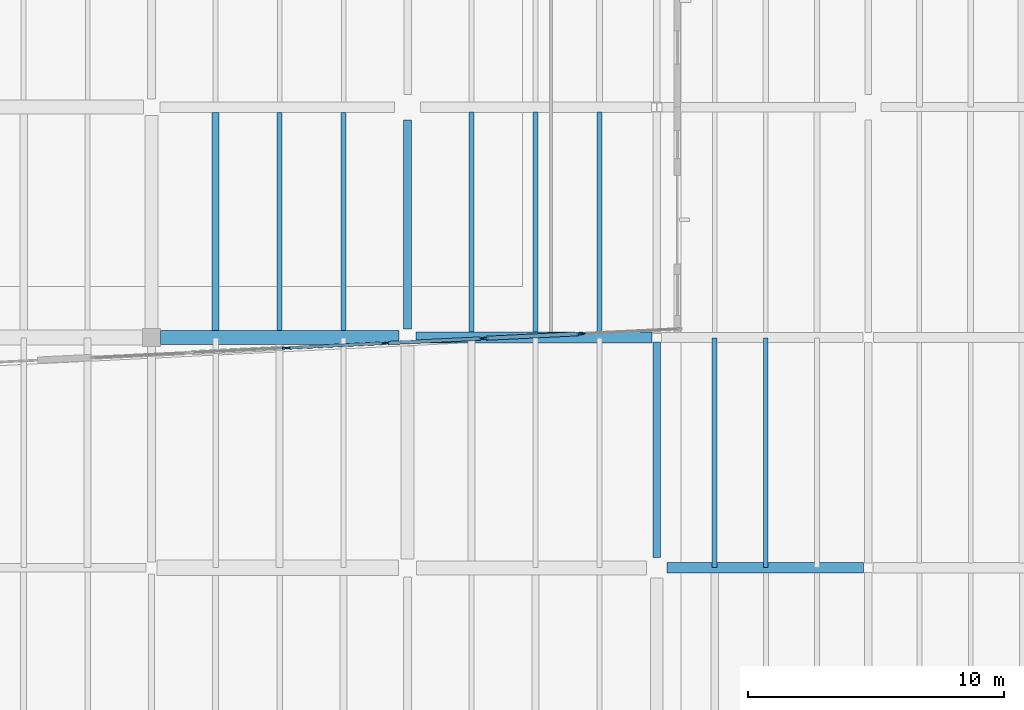
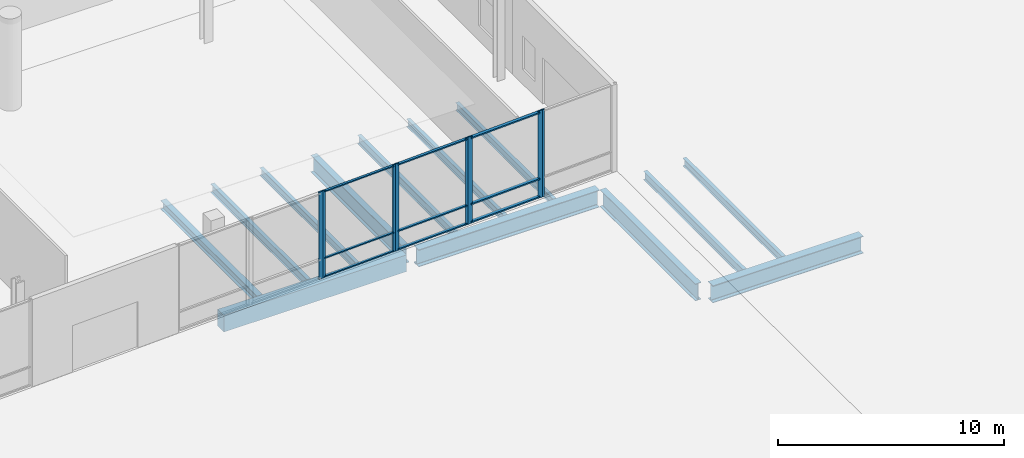
# One storey, part 30 of 88: 17 members, 13 beams, 5 elements without a shape of their own.
"""IFC4 building model written with IfcOpenShell, lengths in metres."""

from ifc_helpers import new_model, si_unit, direction, frame, origin, origin_2d, place, context, subcontext, project, spatial, rectangle, i_section, extrude, material, material_profile, profile_set, type_object, element, aggregate, save


model = new_model("IFC4")

# Units and contexts
model_context = context("Model", 3, precision=1e-05, world=origin(), true_north=direction((0.0, 1.0)))
body_context = subcontext(model_context, "Body", "Model", "MODEL_VIEW")
ifc_project = project(units=[si_unit("LENGTHUNIT", "METRE"), si_unit("AREAUNIT", "SQUARE_METRE"), si_unit("VOLUMEUNIT", "CUBIC_METRE"), si_unit("PLANEANGLEUNIT", "RADIAN"), si_unit("MASSUNIT", "GRAM", prefix="KILO")], contexts=[model_context])

# Site, building, storey
site_placement = place(None, origin())
site = spatial("IfcSite", under=ifc_project, at=site_placement, CompositionType="ELEMENT")
building_placement = place(site_placement, origin())
building = spatial("IfcBuilding", under=site, at=building_placement, Name="Trimount Lyric Opera House", CompositionType="ELEMENT")
storey_placement = place(building_placement, origin())
storey = spatial("IfcBuildingStorey", under=building, at=storey_placement, Name="L00", CompositionType="ELEMENT", Elevation=0.0)

# Beams
ifc_material_1 = material(Name="Steel ASTM A992 Grade 50", Category="steel")
ifc_material_profile_1 = material_profile(ifc_material_1, i_section(OverallWidth=0.4189453125, OverallDepth=0.927001953125, WebThickness=0.019287109375, FlangeThickness=0.031982421875, FilletRadius=0.02392578125, at=origin_2d()), Name="W36X231")
ifc_profile_set_1 = profile_set([ifc_material_profile_1], Name="Steel ASTM A992 Grade 50")
beam_type_1 = type_object("IfcBeamType", Name="B-02", PredefinedType="BEAM", material=ifc_profile_set_1)
beam_1_placement = place(storey_placement, frame((114.139892578125, 17.0, -0.763427734375), z_axis=(1.0, 0.0, 0.0), x_axis=(0.0, 1.0, 0.0)))
element("IfcBeam", 1, at=beam_1_placement, inside=storey, type_object=beam_type_1, Name="L00 girder X-0047", PredefinedType="BEAM", context=body_context, shape_type="SweptSolid", body=[
    extrude(i_section(OverallWidth=0.4189453125, OverallDepth=0.927001953125, WebThickness=0.019287109375, FlangeThickness=0.031982421875, FilletRadius=0.02392578125, at=origin_2d()), origin(), (0.0, 0.0, 1.0), 7.673583984375),
])
beam_2_placement = place(storey_placement, frame((104.324951171875, 26.0, -0.843505859375), z_axis=(1.0, 0.0, 0.0), x_axis=(0.0, 1.0, 0.0)))
element("IfcBeam", 2, at=beam_2_placement, inside=storey, type_object=beam_type_1, Name="L00 girder X-0061", PredefinedType="BEAM", context=body_context, shape_type="SweptSolid", body=[
    extrude(i_section(OverallWidth=0.4189453125, OverallDepth=0.927001953125, WebThickness=0.019287109375, FlangeThickness=0.031982421875, FilletRadius=0.02392578125, at=origin_2d()), origin(), (0.0, 0.0, 1.0), 9.228515625),
])
ifc_material_2 = material(Name="Steel ASTM A992 Grade 50", Category="steel")
ifc_material_profile_2 = material_profile(ifc_material_2, i_section(OverallWidth=0.304931640625, OverallDepth=0.9189453125, WebThickness=0.017333984375, FlangeThickness=0.02783203125, FilletRadius=0.02001953125, at=origin_2d()), Name="W36X170")
ifc_profile_set_2 = profile_set([ifc_material_profile_2], Name="Steel ASTM A992 Grade 50")
beam_type_2 = type_object("IfcBeamType", Name="B-03", PredefinedType="BEAM", material=ifc_profile_set_2)
beam_3_placement = place(storey_placement, frame((104.0, 26.324951171875, -0.839599609375), z_axis=(0.0, 1.0, 0.0), x_axis=(-1.0, 0.0, 0.0)))
element("IfcBeam", 3, at=beam_3_placement, inside=storey, type_object=beam_type_2, Name="L00 girder Y-0360", PredefinedType="BEAM", context=body_context, shape_type="SweptSolid", body=[
    extrude(i_section(OverallWidth=0.304931640625, OverallDepth=0.9189453125, WebThickness=0.017333984375, FlangeThickness=0.02783203125, FilletRadius=0.02001953125, at=origin_2d()), origin(), (0.0, 0.0, 1.0), 8.175048828125),
])
beam_4_placement = place(storey_placement, frame((113.739990234375, 17.39990234375, -0.839599609375), z_axis=(0.0, 1.0, 0.0), x_axis=(-1.0, 0.0, 0.0)))
element("IfcBeam", 4, at=beam_4_placement, inside=storey, type_object=beam_type_2, Name="L00 girder Y-0371", PredefinedType="BEAM", context=body_context, shape_type="SweptSolid", body=[
    extrude(i_section(OverallWidth=0.304931640625, OverallDepth=0.9189453125, WebThickness=0.017333984375, FlangeThickness=0.02783203125, FilletRadius=0.02001953125, at=origin_2d()), origin(), (0.0, 0.0, 1.0), 8.416015625),
])
ifc_material_3 = material(Name="Concrete C40/50", Category="concrete")
ifc_material_profile_3 = material_profile(ifc_material_3, rectangle(XDim=0.550048828125, YDim=0.89990234375, at=origin_2d()), Name="RC550X900")
ifc_profile_set_3 = profile_set([ifc_material_profile_3], Name="Concrete C40/50")
beam_type_3 = type_object("IfcBeamType", Name="B-14", PredefinedType="BEAM", material=ifc_profile_set_3)
beam_5_placement = place(storey_placement, frame((94.35009765625, 26.0, -0.830078125), z_axis=(1.0, 0.0, 0.0), x_axis=(0.0, 1.0, 0.0)))
element("IfcBeam", 5, at=beam_5_placement, inside=storey, type_object=beam_type_3, Name="L00 girder X-0060", PredefinedType="BEAM", context=body_context, shape_type="SweptSolid", body=[
    extrude(rectangle(XDim=0.550048828125, YDim=0.89990234375, at=origin_2d()), origin(), (0.0, 0.0, 1.0), 9.324951171875),
])
ifc_material_4 = material(Name="Steel ASTM A992 Grade 50", Category="steel")
ifc_material_profile_4 = material_profile(ifc_material_4, i_section(OverallWidth=0.281982421875, OverallDepth=0.467041015625, WebThickness=0.01220703125, FlangeThickness=0.01953125, FilletRadius=0.012939453125, at=origin_2d()), Name="W18X86")
ifc_profile_set_4 = profile_set([ifc_material_profile_4], Name="Steel ASTM A992 Grade 50")
beam_type_4 = type_object("IfcBeamType", Name="J-03", PredefinedType="BEAM", material=ifc_profile_set_4)
beam_6_placement = place(storey_placement, frame((96.5, 26.27099609375, -0.613525390625), z_axis=(0.0, 1.0, 0.0), x_axis=(-1.0, 0.0, 0.0)))
element("IfcBeam", 6, at=beam_6_placement, inside=storey, type_object=beam_type_4, Name="L00 composite floor joist 0287", PredefinedType="BEAM", context=body_context, shape_type="SweptSolid", body=[
    extrude(i_section(OverallWidth=0.281982421875, OverallDepth=0.467041015625, WebThickness=0.01220703125, FlangeThickness=0.01953125, FilletRadius=0.012939453125, at=origin_2d()), origin(), (0.0, 0.0, 1.0), 8.5234375),
])
ifc_material_5 = material(Name="Steel ASTM A992 Grade 50", Category="steel")
ifc_material_profile_5 = material_profile(ifc_material_5, i_section(OverallWidth=0.19091796875, OverallDepth=0.45703125, WebThickness=0.009033203125, FlangeThickness=0.014404296875, FilletRadius=0.010986328125, at=origin_2d()), Name="W18X50")
ifc_profile_set_5 = profile_set([ifc_material_profile_5], Name="Steel ASTM A992 Grade 50")
beam_type_5 = type_object("IfcBeamType", Name="J-04", PredefinedType="BEAM", material=ifc_profile_set_5)
beam_7_placement = place(storey_placement, frame((99.0, 26.27099609375, -0.6083984375), z_axis=(0.0, 1.0, 0.0), x_axis=(-1.0, 0.0, 0.0)))
element("IfcBeam", 7, at=beam_7_placement, inside=storey, type_object=beam_type_5, Name="L00 composite floor joist 0288", PredefinedType="BEAM", context=body_context, shape_type="SweptSolid", body=[
    extrude(i_section(OverallWidth=0.19091796875, OverallDepth=0.45703125, WebThickness=0.009033203125, FlangeThickness=0.014404296875, FilletRadius=0.010986328125, at=origin_2d()), origin(), (0.0, 0.0, 1.0), 8.5234375),
])
beam_8_placement = place(storey_placement, frame((106.5, 26.20556640625, -0.6083984375), z_axis=(0.0, 1.0, 0.0), x_axis=(-1.0, 0.0, 0.0)))
element("IfcBeam", 8, at=beam_8_placement, inside=storey, type_object=beam_type_5, Name="L00 composite floor joist 0315", PredefinedType="BEAM", context=body_context, shape_type="SweptSolid", body=[
    extrude(i_section(OverallWidth=0.19091796875, OverallDepth=0.45703125, WebThickness=0.009033203125, FlangeThickness=0.014404296875, FilletRadius=0.010986328125, at=origin_2d()), origin(), (0.0, 0.0, 1.0), 8.597900390625),
])
beam_9_placement = place(storey_placement, frame((116.0, 17.011962890625, -0.528564453125), z_axis=(0.0, 1.0, 0.0), x_axis=(-1.0, 0.0, 0.0)))
element("IfcBeam", 9, at=beam_9_placement, inside=storey, type_object=beam_type_5, Name="L00 composite floor joist 0342", PredefinedType="BEAM", context=body_context, shape_type="SweptSolid", body=[
    extrude(i_section(OverallWidth=0.19091796875, OverallDepth=0.45703125, WebThickness=0.009033203125, FlangeThickness=0.014404296875, FilletRadius=0.010986328125, at=origin_2d()), origin(), (0.0, 0.0, 1.0), 8.97607421875),
])
ifc_material_6 = material(Name="Steel ASTM A992 Grade 50", Category="steel")
ifc_material_profile_6 = material_profile(ifc_material_6, i_section(OverallWidth=0.180908203125, OverallDepth=0.4169921875, WebThickness=0.010986328125, FlangeThickness=0.018310546875, FilletRadius=0.010986328125, at=origin_2d()), Name="W16X57")
ifc_profile_set_6 = profile_set([ifc_material_profile_6], Name="Steel ASTM A992 Grade 50")
beam_type_6 = type_object("IfcBeamType", Name="J-05", PredefinedType="BEAM", material=ifc_profile_set_6)
beam_10_placement = place(storey_placement, frame((101.5, 26.27099609375, -0.58837890625), z_axis=(0.0, 1.0, 0.0), x_axis=(-1.0, 0.0, 0.0)))
element("IfcBeam", 10, at=beam_10_placement, inside=storey, type_object=beam_type_6, Name="L00 composite floor joist 0289", PredefinedType="BEAM", context=body_context, shape_type="SweptSolid", body=[
    extrude(i_section(OverallWidth=0.180908203125, OverallDepth=0.4169921875, WebThickness=0.010986328125, FlangeThickness=0.018310546875, FilletRadius=0.010986328125, at=origin_2d()), origin(), (0.0, 0.0, 1.0), 8.5234375),
])
beam_11_placement = place(storey_placement, frame((109.0, 26.20556640625, -0.58837890625), z_axis=(0.0, 1.0, 0.0), x_axis=(-1.0, 0.0, 0.0)))
element("IfcBeam", 11, at=beam_11_placement, inside=storey, type_object=beam_type_6, Name="L00 composite floor joist 0316", PredefinedType="BEAM", context=body_context, shape_type="SweptSolid", body=[
    extrude(i_section(OverallWidth=0.180908203125, OverallDepth=0.4169921875, WebThickness=0.010986328125, FlangeThickness=0.018310546875, FilletRadius=0.010986328125, at=origin_2d()), origin(), (0.0, 0.0, 1.0), 8.597900390625),
])
beam_12_placement = place(storey_placement, frame((118.0, 17.011962890625, -0.508544921875), z_axis=(0.0, 1.0, 0.0), x_axis=(-1.0, 0.0, 0.0)))
element("IfcBeam", 12, at=beam_12_placement, inside=storey, type_object=beam_type_6, Name="L00 composite floor joist 0343", PredefinedType="BEAM", context=body_context, shape_type="SweptSolid", body=[
    extrude(i_section(OverallWidth=0.180908203125, OverallDepth=0.4169921875, WebThickness=0.010986328125, FlangeThickness=0.018310546875, FilletRadius=0.010986328125, at=origin_2d()), origin(), (0.0, 0.0, 1.0), 8.97607421875),
])
ifc_material_7 = material(Name="Steel ASTM A992 Grade 50", Category="steel")
ifc_material_profile_7 = material_profile(ifc_material_7, i_section(OverallWidth=0.177978515625, OverallDepth=0.404052734375, WebThickness=0.007568359375, FlangeThickness=0.010986328125, FilletRadius=0.010009765625, at=origin_2d()), Name="W16X36")
ifc_profile_set_7 = profile_set([ifc_material_profile_7], Name="Steel ASTM A992 Grade 50")
beam_type_7 = type_object("IfcBeamType", Name="J-06", PredefinedType="BEAM", material=ifc_profile_set_7)
beam_13_placement = place(storey_placement, frame((111.5, 26.20556640625, -0.58203125), z_axis=(0.0, 1.0, 0.0), x_axis=(-1.0, 0.0, 0.0)))
element("IfcBeam", 13, at=beam_13_placement, inside=storey, type_object=beam_type_7, Name="L00 composite floor joist 0317", PredefinedType="BEAM", context=body_context, shape_type="SweptSolid", body=[
    extrude(i_section(OverallWidth=0.177978515625, OverallDepth=0.404052734375, WebThickness=0.007568359375, FlangeThickness=0.010986328125, FilletRadius=0.010009765625, at=origin_2d()), origin(), (0.0, 0.0, 1.0), 8.597900390625),
])

# Curtain wall, members
ifc_material_8 = material(Name="Thermally Broken Aluminium and Low-E Glass", Category="aluminium")
curtain_wall_type = type_object("IfcCurtainWallType", Name="CW-01", PredefinedType="NOTDEFINED", material=ifc_material_8)
curtain_wall_1_placement = place(storey_placement, origin())
curtain_wall_1 = element("IfcCurtainWall", 14, at=curtain_wall_1_placement, inside=storey, type_object=curtain_wall_type, Name="L00 curtain wall 015", PredefinedType="NOTDEFINED")
ifc_material_9 = material(Name="Anodised Aluminium 6063-T6", Category="aluminium")
ifc_material_profile_8 = material_profile(ifc_material_9, rectangle(XDim=0.070068359375, YDim=0.219970703125, at=origin_2d()), Name="ALU-MULL-70X220")
ifc_profile_set_8 = profile_set([ifc_material_profile_8], Name="Anodised Aluminium 6063-T6")
member_type_1 = type_object("IfcMemberType", Name="ML-01", PredefinedType="MULLION", material=ifc_profile_set_8)
member_1_placement = place(storey_placement, frame((110.713134765625, 26.146240234375, 0.0), z_axis=(0.0, 0.0, 1.0), x_axis=(0.048540843291, -0.99882119848, 0.0)))
member_1 = element("IfcMember", 15, at=member_1_placement, type_object=member_type_1, Name="CW-01 mullion 1", PredefinedType="MULLION", context=body_context, shape_type="SweptSolid", body=[
    extrude(rectangle(XDim=0.070068359375, YDim=0.219970703125, at=origin_2d()), origin(), (0.0, 0.0, 1.0), 4.699951171875),
])
member_2_placement = place(storey_placement, frame((107.037841796875, 25.9677734375, 0.0), z_axis=(0.0, 0.0, 1.0), x_axis=(0.048540843291, -0.99882119848, 0.0)))
member_2 = element("IfcMember", 16, at=member_2_placement, type_object=member_type_1, Name="CW-01 mullion 2", PredefinedType="MULLION", context=body_context, shape_type="SweptSolid", body=[
    extrude(rectangle(XDim=0.070068359375, YDim=0.219970703125, at=origin_2d()), origin(), (0.0, 0.0, 1.0), 4.699951171875),
])

# Curtain wall, member
curtain_wall_2_placement = place(storey_placement, origin())
curtain_wall_2 = element("IfcCurtainWall", 17, at=curtain_wall_2_placement, inside=storey, type_object=curtain_wall_type, Name="L00 curtain wall 018", PredefinedType="NOTDEFINED")
member_3_placement = place(storey_placement, frame((99.2080078125, 25.585205078125, 0.0), z_axis=(0.0, 0.0, 1.0), x_axis=(0.048806917619, -0.998808232241, 0.0)))
member_3 = element("IfcMember", 18, at=member_3_placement, type_object=member_type_1, Name="CW-01 mullion 1", PredefinedType="MULLION", context=body_context, shape_type="SweptSolid", body=[
    extrude(rectangle(XDim=0.070068359375, YDim=0.219970703125, at=origin_2d()), origin(), (0.0, 0.0, 1.0), 4.699951171875),
])
aggregate(curtain_wall_2, [member_3])

# Curtain wall, members
curtain_wall_3_placement = place(storey_placement, origin())
curtain_wall_3 = element("IfcCurtainWall", 19, at=curtain_wall_3_placement, inside=storey, type_object=curtain_wall_type, Name="L00 curtain wall 016", PredefinedType="NOTDEFINED")
ifc_material_10 = material(Name="Anodised Aluminium 6063-T6", Category="aluminium")
ifc_material_profile_9 = material_profile(ifc_material_10, rectangle(XDim=0.06494140625, YDim=0.179931640625, at=origin_2d()), Name="ALU-MULL-65X180")
ifc_profile_set_9 = profile_set([ifc_material_profile_9], Name="Anodised Aluminium 6063-T6")
member_type_2 = type_object("IfcMemberType", Name="ML-02", PredefinedType="MULLION", material=ifc_profile_set_9)
member_4_placement = place(storey_placement, frame((106.880615234375, 25.95947265625, 0.0), z_axis=(0.0, 0.0, 1.0), x_axis=(0.048806917619, -0.998808232241, 0.0)))
member_4 = element("IfcMember", 20, at=member_4_placement, type_object=member_type_2, Name="CW-01 mullion 1", PredefinedType="MULLION", context=body_context, shape_type="SweptSolid", body=[
    extrude(rectangle(XDim=0.06494140625, YDim=0.179931640625, at=origin_2d()), origin(), (0.0, 0.0, 1.0), 4.699951171875),
])
member_5_placement = place(storey_placement, frame((103.200439453125, 25.779541015625, 0.0), z_axis=(0.0, 0.0, 1.0), x_axis=(0.048806917619, -0.998808232241, 0.0)))
member_5 = element("IfcMember", 21, at=member_5_placement, type_object=member_type_2, Name="CW-01 mullion 2", PredefinedType="MULLION", context=body_context, shape_type="SweptSolid", body=[
    extrude(rectangle(XDim=0.06494140625, YDim=0.179931640625, at=origin_2d()), origin(), (0.0, 0.0, 1.0), 4.699951171875),
])

# Curtain wall, member
curtain_wall_4_placement = place(storey_placement, origin())
curtain_wall_4 = element("IfcCurtainWall", 22, at=curtain_wall_4_placement, inside=storey, type_object=curtain_wall_type, Name="L00 curtain wall 014", PredefinedType="NOTDEFINED")
ifc_material_11 = material(Name="Anodised Aluminium 6063-T6", Category="aluminium")
ifc_material_profile_10 = material_profile(ifc_material_11, rectangle(XDim=0.06005859375, YDim=0.14990234375, at=origin_2d()), Name="ALU-MULL-60X150")
ifc_profile_set_10 = profile_set([ifc_material_profile_10], Name="Anodised Aluminium 6063-T6")
member_type_3 = type_object("IfcMemberType", Name="ML-03", PredefinedType="MULLION", material=ifc_profile_set_10)
member_6_placement = place(storey_placement, frame((110.867919921875, 26.154541015625, 0.0), z_axis=(0.0, 0.0, 1.0), x_axis=(0.04870354186, -0.998813278351, 0.0)))
member_6 = element("IfcMember", 23, at=member_6_placement, type_object=member_type_3, Name="CW-01 mullion 2", PredefinedType="MULLION", context=body_context, shape_type="SweptSolid", body=[
    extrude(rectangle(XDim=0.06005859375, YDim=0.14990234375, at=origin_2d()), origin(), (0.0, 0.0, 1.0), 4.699951171875),
])
aggregate(curtain_wall_4, [member_6])

# Curtain wall, members
curtain_wall_5_placement = place(storey_placement, origin())
curtain_wall_5 = element("IfcCurtainWall", 24, at=curtain_wall_5_placement, inside=storey, type_object=curtain_wall_type, Name="L00 curtain wall 017", PredefinedType="NOTDEFINED")
member_7_placement = place(storey_placement, frame((103.048095703125, 25.7724609375, 0.0), z_axis=(0.0, 0.0, 1.0), x_axis=(0.048806917619, -0.998808232241, 0.0)))
member_7 = element("IfcMember", 25, at=member_7_placement, type_object=member_type_3, Name="CW-01 mullion 1", PredefinedType="MULLION", context=body_context, shape_type="SweptSolid", body=[
    extrude(rectangle(XDim=0.06005859375, YDim=0.14990234375, at=origin_2d()), origin(), (0.0, 0.0, 1.0), 4.699951171875),
])
member_8_placement = place(storey_placement, frame((99.363037109375, 25.592529296875, 0.0), z_axis=(0.0, 0.0, 1.0), x_axis=(0.048806917619, -0.998808232241, 0.0)))
member_8 = element("IfcMember", 26, at=member_8_placement, type_object=member_type_3, Name="CW-01 mullion 2", PredefinedType="MULLION", context=body_context, shape_type="SweptSolid", body=[
    extrude(rectangle(XDim=0.06005859375, YDim=0.14990234375, at=origin_2d()), origin(), (0.0, 0.0, 1.0), 4.699951171875),
])

# Member
ifc_material_12 = material(Name="Anodised Aluminium 6063-T6", Category="aluminium")
ifc_material_profile_11 = material_profile(ifc_material_12, rectangle(XDim=0.159912109375, YDim=0.070068359375, at=origin_2d()), Name="ALU-TRAN-70X160")
ifc_profile_set_11 = profile_set([ifc_material_profile_11], Name="Anodised Aluminium 6063-T6")
member_type_4 = type_object("IfcMemberType", Name="TR-01", PredefinedType="USERDEFINED", material=ifc_profile_set_11)
member_9_placement = place(storey_placement, frame((110.677978515625, 26.14453125, 0.080078125), z_axis=(-0.998823165419, -0.048500352811, 0.0), x_axis=(0.048500352811, -0.998823165419, 0.0)))
member_9 = element("IfcMember", 27, at=member_9_placement, type_object=member_type_4, Name="CW-01 transom 1.1", ObjectType="TRANSOM", PredefinedType="USERDEFINED", context=body_context, shape_type="SweptSolid", body=[
    extrude(rectangle(XDim=0.159912109375, YDim=0.070068359375, at=origin_2d()), origin(), (0.0, 0.0, 1.0), 3.609130859375),
])

member_10_placement = place(storey_placement, frame((110.677978515625, 26.14453125, 1.050048828125), z_axis=(-0.998823165419, -0.048500352811, 0.0), x_axis=(0.048500352811, -0.998823165419, 0.0)))
member_10 = element("IfcMember", 28, at=member_10_placement, type_object=member_type_4, Name="CW-01 transom 1.2", ObjectType="TRANSOM", PredefinedType="USERDEFINED", context=body_context, shape_type="SweptSolid", body=[
    extrude(rectangle(XDim=0.159912109375, YDim=0.070068359375, at=origin_2d()), origin(), (0.0, 0.0, 1.0), 3.609130859375),
])

member_11_placement = place(storey_placement, frame((110.677978515625, 26.14453125, 4.6201171875), z_axis=(-0.998823165419, -0.048500352811, 0.0), x_axis=(0.048500352811, -0.998823165419, 0.0)))
member_11 = element("IfcMember", 29, at=member_11_placement, type_object=member_type_4, Name="CW-01 transom 1.3", ObjectType="TRANSOM", PredefinedType="USERDEFINED", context=body_context, shape_type="SweptSolid", body=[
    extrude(rectangle(XDim=0.159912109375, YDim=0.070068359375, at=origin_2d()), origin(), (0.0, 0.0, 1.0), 3.609130859375),
])

aggregate(curtain_wall_1, [member_1, member_2, member_9, member_10, member_11])

ifc_material_13 = material(Name="Anodised Aluminium 6063-T6", Category="aluminium")
ifc_material_profile_12 = material_profile(ifc_material_13, rectangle(XDim=0.135009765625, YDim=0.06494140625, at=origin_2d()), Name="ALU-TRAN-65X135")
ifc_profile_set_12 = profile_set([ifc_material_profile_12], Name="Anodised Aluminium 6063-T6")
member_type_5 = type_object("IfcMemberType", Name="TR-02", PredefinedType="USERDEFINED", material=ifc_profile_set_12)
member_12_placement = place(storey_placement, frame((106.84814453125, 25.957763671875, 0.0673828125), z_axis=(-0.998810188517, -0.048766866984, 0.0), x_axis=(0.048766866984, -0.998810188517, 0.0)))
member_12 = element("IfcMember", 30, at=member_12_placement, type_object=member_type_5, Name="CW-01 transom 1.1", ObjectType="TRANSOM", PredefinedType="USERDEFINED", context=body_context, shape_type="SweptSolid", body=[
    extrude(rectangle(XDim=0.135009765625, YDim=0.06494140625, at=origin_2d()), origin(), (0.0, 0.0, 1.0), 3.61962890625),
])

member_13_placement = place(storey_placement, frame((106.84814453125, 25.957763671875, 1.050048828125), z_axis=(-0.998810188517, -0.048766866984, 0.0), x_axis=(0.048766866984, -0.998810188517, 0.0)))
member_13 = element("IfcMember", 31, at=member_13_placement, type_object=member_type_5, Name="CW-01 transom 1.2", ObjectType="TRANSOM", PredefinedType="USERDEFINED", context=body_context, shape_type="SweptSolid", body=[
    extrude(rectangle(XDim=0.135009765625, YDim=0.06494140625, at=origin_2d()), origin(), (0.0, 0.0, 1.0), 3.61962890625),
])

member_14_placement = place(storey_placement, frame((106.84814453125, 25.957763671875, 4.632568359375), z_axis=(-0.998810188517, -0.048766866984, 0.0), x_axis=(0.048766866984, -0.998810188517, 0.0)))
member_14 = element("IfcMember", 32, at=member_14_placement, type_object=member_type_5, Name="CW-01 transom 1.3", ObjectType="TRANSOM", PredefinedType="USERDEFINED", context=body_context, shape_type="SweptSolid", body=[
    extrude(rectangle(XDim=0.135009765625, YDim=0.06494140625, at=origin_2d()), origin(), (0.0, 0.0, 1.0), 3.61962890625),
])

aggregate(curtain_wall_3, [member_4, member_5, member_12, member_13, member_14])

ifc_material_14 = material(Name="Anodised Aluminium 6063-T6", Category="aluminium")
ifc_material_profile_13 = material_profile(ifc_material_14, rectangle(XDim=0.114990234375, YDim=0.06005859375, at=origin_2d()), Name="ALU-TRAN-60X115")
ifc_profile_set_13 = profile_set([ifc_material_profile_13], Name="Anodised Aluminium 6063-T6")
member_type_6 = type_object("IfcMemberType", Name="TR-03", PredefinedType="USERDEFINED", material=ifc_profile_set_13)
member_15_placement = place(storey_placement, frame((103.01806640625, 25.77099609375, 0.0576171875), z_axis=(-0.998810194491, -0.04876674463, 0.0), x_axis=(0.04876674463, -0.998810194491, 0.0)))
member_15 = element("IfcMember", 33, at=member_15_placement, type_object=member_type_6, Name="CW-01 transom 1.1", ObjectType="TRANSOM", PredefinedType="USERDEFINED", context=body_context, shape_type="SweptSolid", body=[
    extrude(rectangle(XDim=0.114990234375, YDim=0.06005859375, at=origin_2d()), origin(), (0.0, 0.0, 1.0), 3.629638671875),
])

member_16_placement = place(storey_placement, frame((103.01806640625, 25.77099609375, 1.050048828125), z_axis=(-0.998810194491, -0.04876674463, 0.0), x_axis=(0.04876674463, -0.998810194491, 0.0)))
member_16 = element("IfcMember", 34, at=member_16_placement, type_object=member_type_6, Name="CW-01 transom 1.2", ObjectType="TRANSOM", PredefinedType="USERDEFINED", context=body_context, shape_type="SweptSolid", body=[
    extrude(rectangle(XDim=0.114990234375, YDim=0.06005859375, at=origin_2d()), origin(), (0.0, 0.0, 1.0), 3.629638671875),
])

member_17_placement = place(storey_placement, frame((103.01806640625, 25.77099609375, 4.642578125), z_axis=(-0.998810194491, -0.04876674463, 0.0), x_axis=(0.04876674463, -0.998810194491, 0.0)))
member_17 = element("IfcMember", 35, at=member_17_placement, type_object=member_type_6, Name="CW-01 transom 1.3", ObjectType="TRANSOM", PredefinedType="USERDEFINED", context=body_context, shape_type="SweptSolid", body=[
    extrude(rectangle(XDim=0.114990234375, YDim=0.06005859375, at=origin_2d()), origin(), (0.0, 0.0, 1.0), 3.629638671875),
])

aggregate(curtain_wall_5, [member_7, member_8, member_15, member_16, member_17])

save(model, "model.ifc")
